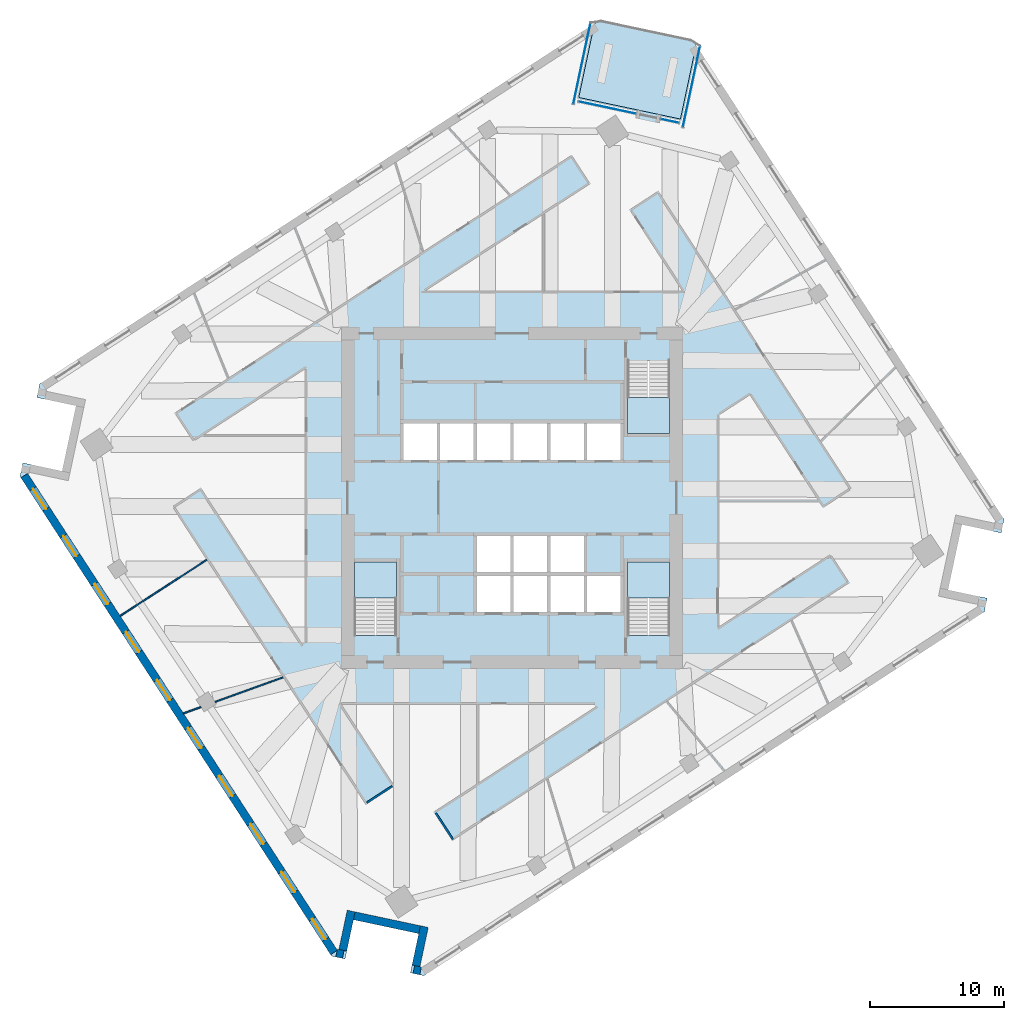
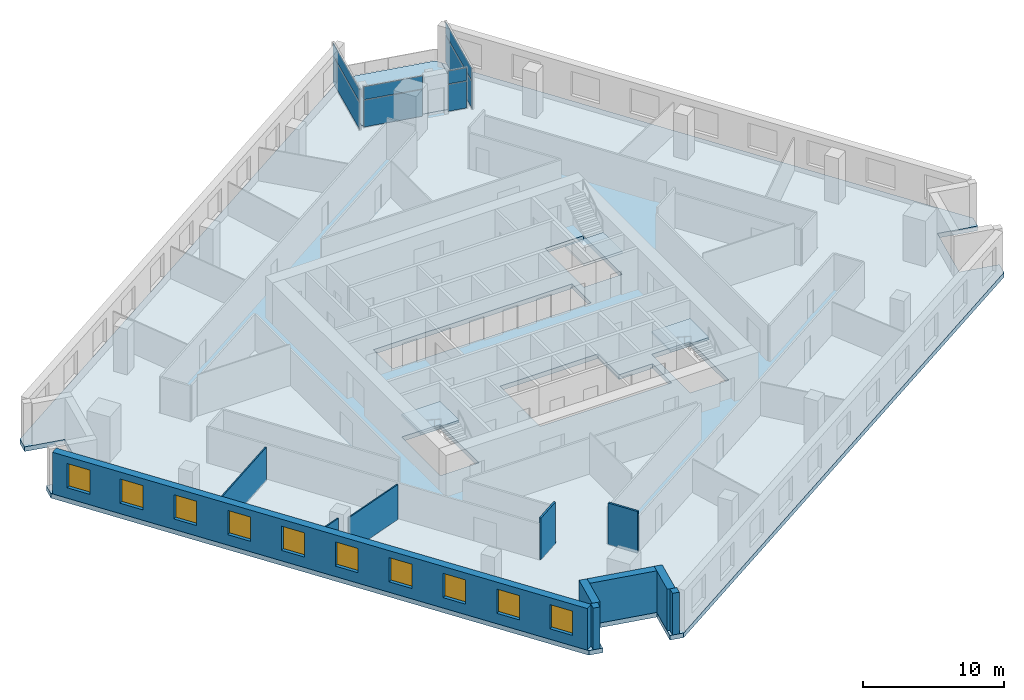
# One storey, part 5 of 12: 11 walls, 10 windows, 8 plates, 5 slabs, 10 openings, 7 elements without a shape of their own.
"""IFC4 building model written with IfcOpenShell, lengths in metres."""

from ifc_helpers import new_model, si_unit, direction, frame, frame_2d, origin, origin_2d, place, context, subcontext, project, spatial, polyline, rectangle, outline, extrude, material, layer, layer_set, type_object, element, fill, aggregate, save


model = new_model("IFC4")

# Units and contexts
model_context = context("Model", 3, precision=1e-05, world=origin(), true_north=direction((0.0, 1.0)))
body_context = subcontext(model_context, "Body", "Model", "MODEL_VIEW")
ifc_project = project(units=[si_unit("LENGTHUNIT", "METRE"), si_unit("AREAUNIT", "SQUARE_METRE"), si_unit("VOLUMEUNIT", "CUBIC_METRE"), si_unit("PLANEANGLEUNIT", "RADIAN"), si_unit("MASSUNIT", "GRAM", prefix="KILO")], contexts=[model_context])

# Site, building, storey
site_placement = place(None, origin())
site = spatial("IfcSite", under=ifc_project, at=site_placement, CompositionType="ELEMENT")
building_placement = place(site_placement, origin())
building = spatial("IfcBuilding", under=site, at=building_placement, Name="Dilmun Exchange Tower", CompositionType="ELEMENT")
storey_placement = place(building_placement, frame((0.0, 0.0, 159.699951171875)))
storey = spatial("IfcBuildingStorey", under=building, at=storey_placement, Name="L37", CompositionType="ELEMENT", Elevation=159.699951171875)

# Stair, slab
ifc_material_1 = material(Name="Concrete C40/50", Category="concrete")
stair_type = type_object("IfcStairType", Name="Exit stair 1500 half-turn", PredefinedType="HALF_TURN_STAIR", material=ifc_material_1)
stair_1_placement = place(storey_placement, origin())
stair_1 = element("IfcStair", 1, at=stair_1_placement, inside=storey, type_object=stair_type, Name="L37 Protected exit stair ST1", PredefinedType="HALF_TURN_STAIR")
ifc_layer_1 = layer(ifc_material_1, 0.199951171875)
ifc_layer_set_1 = layer_set([ifc_layer_1], Name="Concrete C40/50")
slab_type_1 = type_object("IfcSlabType", Name="Exit stair landing 200", PredefinedType="LANDING", material=ifc_layer_set_1)
slab_1_placement = place(storey_placement, frame((0.0, 0.0, 1.800048828125)))
slab_1 = element("IfcSlab", 2, at=slab_1_placement, type_object=slab_type_1, Name="ST1 landing 1", PredefinedType="LANDING", context=body_context, shape_type="SweptSolid", body=[
    extrude(outline(polyline([(8.64990234375, 7.5), (8.64990234375, 4.800048828125), (11.800048828125, 4.800048828125), (11.800048828125, 7.5), (8.64990234375, 7.5)])), origin(), (0.0, 0.0, 1.0), 0.199951171875),
])
aggregate(stair_1, [slab_1])

stair_2_placement = place(storey_placement, origin())
stair_2 = element("IfcStair", 3, at=stair_2_placement, inside=storey, type_object=stair_type, Name="L37 Protected exit stair ST2", PredefinedType="HALF_TURN_STAIR")
slab_2_placement = place(storey_placement, frame((0.0, 0.0, 1.800048828125)))
slab_2 = element("IfcSlab", 4, at=slab_2_placement, type_object=slab_type_1, Name="ST2 landing 1", PredefinedType="LANDING", context=body_context, shape_type="SweptSolid", body=[
    extrude(outline(polyline([(-8.64990234375, -7.5), (-8.64990234375, -4.800048828125), (-11.800048828125, -4.800048828125), (-11.800048828125, -7.5), (-8.64990234375, -7.5)])), origin(), (0.0, 0.0, 1.0), 0.199951171875),
])
aggregate(stair_2, [slab_2])

stair_3_placement = place(storey_placement, origin())
stair_3 = element("IfcStair", 5, at=stair_3_placement, inside=storey, type_object=stair_type, Name="L37 Protected exit stair ST3", PredefinedType="HALF_TURN_STAIR")
slab_3_placement = place(storey_placement, frame((0.0, 0.0, 1.800048828125)))
slab_3 = element("IfcSlab", 6, at=slab_3_placement, type_object=slab_type_1, Name="ST3 landing 1", PredefinedType="LANDING", context=body_context, shape_type="SweptSolid", body=[
    extrude(outline(polyline([(11.800048828125, -7.5), (11.800048828125, -4.800048828125), (8.64990234375, -4.800048828125), (8.64990234375, -7.5), (11.800048828125, -7.5)])), origin(), (0.0, 0.0, 1.0), 0.199951171875),
])
aggregate(stair_3, [slab_3])

# Curtain wall, plates
ifc_material_2 = material(Name="Anodised aluminium and clear glass", Category="aluminium")
curtain_wall_type = type_object("IfcCurtainWallType", Name="Garden corner glazing", PredefinedType="NOTDEFINED", material=ifc_material_2)
curtain_wall_1_placement = place(storey_placement, origin())
curtain_wall_1 = element("IfcCurtainWall", 7, at=curtain_wall_1_placement, inside=storey, type_object=curtain_wall_type, Name="Garden corner glazing run GC1.1", PredefinedType="NOTDEFINED")
ifc_material_3 = material(Name="Clear glass", Category="glass")
ifc_layer_2 = layer(ifc_material_3, 0.028076171875)
ifc_layer_set_2 = layer_set([ifc_layer_2], Name="Clear glass")
plate_type = type_object("IfcPlateType", Name="Garden corner glazing glass panel 28", PredefinedType="CURTAIN_PANEL", material=ifc_layer_set_2)
plate_1_placement = place(storey_placement, frame((13.421142578125, 30.75, 0.06005859375), z_axis=(0.0, 0.0, 1.0), x_axis=(-0.207911792498, -0.978147579121, 0.0)))
plate_1 = element("IfcPlate", 8, at=plate_1_placement, type_object=plate_type, Name="GC1.1 panel 1.1", PredefinedType="CURTAIN_PANEL", context=body_context, shape_type="SweptSolid", body=[
    extrude(rectangle(XDim=6.12646484375, YDim=0.028076171875, at=origin_2d()), origin(), (0.0, 0.0, 1.0), 2.31005859375),
])
plate_2_placement = place(storey_placement, frame((13.421142578125, 30.75, 2.43017578125), z_axis=(0.0, 0.0, 1.0), x_axis=(-0.207911792498, -0.978147579121, 0.0)))
plate_2 = element("IfcPlate", 9, at=plate_2_placement, type_object=plate_type, Name="GC1.1 panel 1.2", PredefinedType="CURTAIN_PANEL", context=body_context, shape_type="SweptSolid", body=[
    extrude(rectangle(XDim=6.12646484375, YDim=0.028076171875, at=origin_2d()), origin(), (0.0, 0.0, 1.0), 1.110107421875),
])
aggregate(curtain_wall_1, [plate_1, plate_2])

curtain_wall_2_placement = place(storey_placement, origin())
curtain_wall_2 = element("IfcCurtainWall", 10, at=curtain_wall_2_placement, inside=storey, type_object=curtain_wall_type, Name="Garden corner glazing run GC2.1", PredefinedType="NOTDEFINED")
plate_3_placement = place(storey_placement, frame((11.8125, 28.205810546875, 0.06005859375), z_axis=(0.0, 0.0, 1.0), x_axis=(-0.978146048112, 0.207918995193, 0.0)))
plate_3 = element("IfcPlate", 11, at=plate_3_placement, type_object=plate_type, Name="GC2.1 panel 1.1", PredefinedType="CURTAIN_PANEL", context=body_context, shape_type="SweptSolid", body=[
    extrude(rectangle(XDim=1.369140625, YDim=0.028076171875, at=origin_2d()), origin(), (0.0, 0.0, 1.0), 2.31005859375),
])
plate_4_placement = place(storey_placement, frame((11.8125, 28.205810546875, 2.43017578125), z_axis=(0.0, 0.0, 1.0), x_axis=(-0.978146048112, 0.207918995193, 0.0)))
plate_4 = element("IfcPlate", 12, at=plate_4_placement, type_object=plate_type, Name="GC2.1 panel 1.2", PredefinedType="CURTAIN_PANEL", context=body_context, shape_type="SweptSolid", body=[
    extrude(rectangle(XDim=1.369140625, YDim=0.028076171875, at=origin_2d()), origin(), (0.0, 0.0, 1.0), 1.110107421875),
])
aggregate(curtain_wall_2, [plate_3, plate_4])

curtain_wall_3_placement = place(storey_placement, origin())
curtain_wall_3 = element("IfcCurtainWall", 13, at=curtain_wall_3_placement, inside=storey, type_object=curtain_wall_type, Name="Garden corner glazing run GC2.3", PredefinedType="NOTDEFINED")
plate_5_placement = place(storey_placement, frame((7.128173828125, 29.201416015625, 0.06005859375), z_axis=(0.0, 0.0, 1.0), x_axis=(-0.978144695034, 0.207925360589, 0.0)))
plate_5 = element("IfcPlate", 14, at=plate_5_placement, type_object=plate_type, Name="GC2.3 panel 1.1", PredefinedType="CURTAIN_PANEL", context=body_context, shape_type="SweptSolid", body=[
    extrude(rectangle(XDim=4.369140625, YDim=0.028076171875, at=origin_2d()), origin(), (0.0, 0.0, 1.0), 2.31005859375),
])
plate_6_placement = place(storey_placement, frame((7.128173828125, 29.201416015625, 2.43017578125), z_axis=(0.0, 0.0, 1.0), x_axis=(-0.978144695034, 0.207925360589, 0.0)))
plate_6 = element("IfcPlate", 15, at=plate_6_placement, type_object=plate_type, Name="GC2.3 panel 1.2", PredefinedType="CURTAIN_PANEL", context=body_context, shape_type="SweptSolid", body=[
    extrude(rectangle(XDim=4.369140625, YDim=0.028076171875, at=origin_2d()), origin(), (0.0, 0.0, 1.0), 1.110107421875),
])
aggregate(curtain_wall_3, [plate_5, plate_6])

curtain_wall_4_placement = place(storey_placement, origin())
curtain_wall_4 = element("IfcCurtainWall", 16, at=curtain_wall_4_placement, inside=storey, type_object=curtain_wall_type, Name="Garden corner glazing run GC3.1", PredefinedType="NOTDEFINED")
plate_7_placement = place(storey_placement, frame((5.22607421875, 32.491943359375, 0.06005859375), z_axis=(0.0, 0.0, 1.0), x_axis=(0.207911792498, 0.978147579121, 0.0)))
plate_7 = element("IfcPlate", 17, at=plate_7_placement, type_object=plate_type, Name="GC3.1 panel 1.1", PredefinedType="CURTAIN_PANEL", context=body_context, shape_type="SweptSolid", body=[
    extrude(rectangle(XDim=6.12646484375, YDim=0.028076171875, at=origin_2d()), origin(), (0.0, 0.0, 1.0), 2.31005859375),
])
plate_8_placement = place(storey_placement, frame((5.22607421875, 32.491943359375, 2.43017578125), z_axis=(0.0, 0.0, 1.0), x_axis=(0.207911792498, 0.978147579121, 0.0)))
plate_8 = element("IfcPlate", 18, at=plate_8_placement, type_object=plate_type, Name="GC3.1 panel 1.2", PredefinedType="CURTAIN_PANEL", context=body_context, shape_type="SweptSolid", body=[
    extrude(rectangle(XDim=6.12646484375, YDim=0.028076171875, at=origin_2d()), origin(), (0.0, 0.0, 1.0), 1.110107421875),
])
aggregate(curtain_wall_4, [plate_7, plate_8])

# Slabs
ifc_layer_3 = layer(ifc_material_1, 0.39990234375)
ifc_layer_set_3 = layer_set([ifc_layer_3], Name="Concrete C40/50")
slab_type_2 = type_object("IfcSlabType", Name="RC floor slab 400", PredefinedType="FLOOR", material=ifc_layer_set_3)
slab_4_placement = place(storey_placement, frame((0.0, 0.0, -0.39990234375)))
element("IfcSlab", 19, at=slab_4_placement, inside=storey, type_object=slab_type_2, Name="Floor slab", PredefinedType="FLOOR", context=body_context, shape_type="SweptSolid", body=[
    extrude(outline(polyline([(36.60009765625, -2.621337890625), (33.66552734375, -1.99755859375), (32.626220703125, -6.88818359375), (35.560546875, -7.511962890625), (35.34521484375, -8.52490234375), (-6.58837890625, -35.7568359375), (-7.601318359375, -35.54150390625), (-6.9775390625, -32.607177734375), (-11.8681640625, -31.567626953125), (-12.491943359375, -34.501953125), (-13.5048828125, -34.28662109375), (-36.8154296875, 1.6083984375), (-36.60009765625, 2.621337890625), (-33.66552734375, 1.99755859375), (-32.626220703125, 6.88818359375), (-35.560546875, 7.511962890625), (-35.34521484375, 8.52490234375), (6.1689453125, 35.484619140625), (4.9951171875, 29.96142578125), (12.603271484375, 28.34423828125), (13.777099609375, 33.867431640625), (36.8154296875, -1.6083984375), (36.60009765625, -2.621337890625)]), holes=[polyline([(-8.64990234375, -4.800048828125), (-11.800048828125, -4.800048828125), (-11.800048828125, -10.294921875), (-8.64990234375, -10.294921875), (-8.64990234375, -4.800048828125)]), polyline([(11.800048828125, -4.800048828125), (8.64990234375, -4.800048828125), (8.64990234375, -10.294921875), (11.800048828125, -10.294921875), (11.800048828125, -4.800048828125)]), polyline([(5.375, -2.85009765625), (-2.625, -2.85009765625), (-2.625, -8.550048828125), (8.125, -8.550048828125), (8.125, -5.85009765625), (5.375, -5.85009765625), (5.375, -2.85009765625)]), polyline([(8.125, 2.85009765625), (8.125, 5.550048828125), (-8.125, 5.550048828125), (-8.125, 2.85009765625), (8.125, 2.85009765625)]), polyline([(8.64990234375, 10.294921875), (8.64990234375, 4.800048828125), (11.800048828125, 4.800048828125), (11.800048828125, 10.294921875), (8.64990234375, 10.294921875)])]), origin(), (0.0, 0.0, 1.0), 0.39990234375),
])
ifc_layer_4 = layer(ifc_material_1, 0.300048828125)
ifc_layer_set_4 = layer_set([ifc_layer_4], Name="Concrete C40/50")
slab_type_3 = type_object("IfcSlabType", Name="RC garden terrace slab 300", PredefinedType="FLOOR", material=ifc_layer_set_4)
slab_5_placement = place(storey_placement, frame((0.0, 0.0, -0.300048828125)))
element("IfcSlab", 20, at=slab_5_placement, inside=storey, type_object=slab_type_3, Name="Garden terrace slab", PredefinedType="FLOOR", context=body_context, shape_type="SweptSolid", body=[
    extrude(outline(polyline([(4.9951171875, 29.96142578125), (6.1689453125, 35.484619140625), (6.58837890625, 35.7568359375), (13.5048828125, 34.28662109375), (13.777099609375, 33.867431640625), (12.603271484375, 28.34423828125), (4.9951171875, 29.96142578125)])), origin(), (0.0, 0.0, 1.0), 0.300048828125),
])

# Walls
ifc_material_4 = material(Name="Corridor wall 150")
ifc_layer_5 = layer(ifc_material_4, 0.14990234375)
ifc_layer_set_5 = layer_set([ifc_layer_5], Name="Corridor wall 150")
wall_type_1 = type_object("IfcWallType", Name="Corridor wall 150", PredefinedType="PARTITIONING", material=ifc_layer_set_5)
wall_1_placement = place(storey_placement, frame((-10.85400390625, -22.80517578125, 0.0), z_axis=(0.0, 0.0, 1.0), x_axis=(0.838555201952, 0.544816641889, 0.0)))
element("IfcWall", 21, at=wall_1_placement, inside=storey, type_object=wall_type_1, Name="Corridor wall", PredefinedType="PARTITIONING", context=body_context, shape_type="SweptSolid", body=[
    extrude(rectangle(XDim=2.2490234375, YDim=0.14990234375, at=frame_2d((1.12451171875, 0.0))), origin(), (0.0, 0.0, 1.0), 3.60009765625),
])
wall_2_placement = place(storey_placement, frame((-5.705078125, -23.5869140625, 0.0), z_axis=(0.0, 0.0, 1.0), x_axis=(0.544530623896, -0.838740960988, 0.0)))
element("IfcWall", 22, at=wall_2_placement, inside=storey, type_object=wall_type_1, Name="Corridor wall", PredefinedType="PARTITIONING", context=body_context, shape_type="SweptSolid", body=[
    extrude(rectangle(XDim=2.3251953125, YDim=0.14990234375, at=frame_2d((1.16259765625, 0.0))), origin(), (0.0, 0.0, 1.0), 3.60009765625),
])
ifc_material_5 = material(Name="Partition 100")
ifc_layer_6 = layer(ifc_material_5, 0.10009765625)
ifc_layer_set_6 = layer_set([ifc_layer_6], Name="Partition 100")
wall_type_2 = type_object("IfcWallType", Name="Partition 100", PredefinedType="PARTITIONING", material=ifc_layer_set_6)
wall_3_placement = place(storey_placement, frame((-29.31689453125, -8.832763671875, 0.0), z_axis=(0.0, 0.0, 1.0), x_axis=(0.839172220575, 0.543865777757, 0.0)))
element("IfcWall", 23, at=wall_3_placement, inside=storey, type_object=wall_type_2, Name="Partition", PredefinedType="PARTITIONING", context=body_context, shape_type="SweptSolid", body=[
    extrude(rectangle(XDim=7.72412109375, YDim=0.10009765625, at=frame_2d((3.862060546875, 0.0))), origin(), (0.0, 0.0, 1.0), 2.900146484375),
])
wall_4_placement = place(storey_placement, frame((-24.580078125, -16.126953125, 0.0), z_axis=(0.0, 0.0, 1.0), x_axis=(0.94044924629, 0.339934133551, 0.0)))
element("IfcWall", 24, at=wall_4_placement, inside=storey, type_object=wall_type_2, Name="Partition", PredefinedType="PARTITIONING", context=body_context, shape_type="SweptSolid", body=[
    extrude(rectangle(XDim=1.387451171875, YDim=0.10009765625, at=frame_2d((0.69384765625, 0.0))), origin(), (0.0, 0.0, 1.0), 3.60009765625),
])
wall_5_placement = place(storey_placement, frame((-22.2099609375, -15.27001953125, 0.0), z_axis=(0.0, 0.0, 1.0), x_axis=(0.940414992248, 0.34002888459, 0.0)))
element("IfcWall", 25, at=wall_5_placement, inside=storey, type_object=wall_type_2, Name="Partition", PredefinedType="PARTITIONING", context=body_context, shape_type="SweptSolid", body=[
    extrude(rectangle(XDim=5.3994140625, YDim=0.10009765625, at=frame_2d((2.69970703125, 0.0))), origin(), (0.0, 0.0, 1.0), 3.030029296875),
])

# Wall, openings, windows
ifc_material_6 = material(Name="Precast concrete C50/60", Category="concrete")
ifc_layer_7 = layer(ifc_material_6, 0.60009765625)
ifc_layer_set_7 = layer_set([ifc_layer_7], Name="Precast concrete C50/60")
wall_type_3 = type_object("IfcWallType", Name="Precast stone-clad wall 600", PredefinedType="STANDARD", material=ifc_layer_set_7)
wall_6_placement = place(storey_placement, frame((-36.49609375, 1.66748046875, 0.0), z_axis=(0.0, 0.0, 1.0), x_axis=(0.544642236407, -0.838668488929, 0.0)))
wall_6 = element("IfcWall", 26, at=wall_6_placement, inside=storey, type_object=wall_type_3, Name="Facade wall L37-09", PredefinedType="STANDARD", context=body_context, shape_type="SweptSolid", body=[
    extrude(rectangle(XDim=42.551513671875, YDim=0.60009765625, at=frame_2d((21.27587890625, 0.0))), origin(), (0.0, 0.0, 1.0), 3.60009765625),
])
opening_1_placement = place(wall_6_placement, frame((1.177978515625, 0.0, 0.89990234375)))
opening_1 = element("IfcOpeningElement", 27, at=opening_1_placement, cuts=wall_6, Name="Opening W180-210", PredefinedType="OPENING", context=body_context, shape_type="SweptSolid", body=[
    extrude(rectangle(XDim=1.800048828125, YDim=2.10009765625, at=frame_2d((0.89990234375, 1.050048828125))), frame((0.0, 0.31005859375, 0.0), z_axis=(0.0, -1.0, 0.0), x_axis=(1.0, 0.0, 0.0)), (0.0, 0.0, 1.0), 0.6201171875),
])
opening_2_placement = place(wall_6_placement, frame((5.395751953125, 0.0, 0.89990234375)))
opening_2 = element("IfcOpeningElement", 28, at=opening_2_placement, cuts=wall_6, Name="Opening W180-210", PredefinedType="OPENING", context=body_context, shape_type="SweptSolid", body=[
    extrude(rectangle(XDim=1.800048828125, YDim=2.10009765625, at=frame_2d((0.89990234375, 1.050048828125))), frame((0.0, 0.31005859375, 0.0), z_axis=(0.0, -1.0, 0.0), x_axis=(1.0, 0.0, 0.0)), (0.0, 0.0, 1.0), 0.6201171875),
])
opening_3_placement = place(wall_6_placement, frame((9.67578125, 0.0, 0.89990234375)))
opening_3 = element("IfcOpeningElement", 29, at=opening_3_placement, cuts=wall_6, Name="Opening W180-210", PredefinedType="OPENING", context=body_context, shape_type="SweptSolid", body=[
    extrude(rectangle(XDim=1.800048828125, YDim=2.10009765625, at=frame_2d((0.89990234375, 1.050048828125))), frame((0.0, 0.31005859375, 0.0), z_axis=(0.0, -1.0, 0.0), x_axis=(1.0, 0.0, 0.0)), (0.0, 0.0, 1.0), 0.6201171875),
])
opening_4_placement = place(wall_6_placement, frame((13.955810546875, 0.0, 0.89990234375)))
opening_4 = element("IfcOpeningElement", 30, at=opening_4_placement, cuts=wall_6, Name="Opening W180-210", PredefinedType="OPENING", context=body_context, shape_type="SweptSolid", body=[
    extrude(rectangle(XDim=1.800048828125, YDim=2.10009765625, at=frame_2d((0.89990234375, 1.050048828125))), frame((0.0, 0.31005859375, 0.0), z_axis=(0.0, -1.0, 0.0), x_axis=(1.0, 0.0, 0.0)), (0.0, 0.0, 1.0), 0.6201171875),
])
opening_5_placement = place(wall_6_placement, frame((18.235595703125, 0.0, 0.89990234375)))
opening_5 = element("IfcOpeningElement", 31, at=opening_5_placement, cuts=wall_6, Name="Opening W180-210", PredefinedType="OPENING", context=body_context, shape_type="SweptSolid", body=[
    extrude(rectangle(XDim=1.800048828125, YDim=2.10009765625, at=frame_2d((0.89990234375, 1.050048828125))), frame((0.0, 0.31005859375, 0.0), z_axis=(0.0, -1.0, 0.0), x_axis=(1.0, 0.0, 0.0)), (0.0, 0.0, 1.0), 0.6201171875),
])
opening_6_placement = place(wall_6_placement, frame((22.515625, 0.0, 0.89990234375)))
opening_6 = element("IfcOpeningElement", 32, at=opening_6_placement, cuts=wall_6, Name="Opening W180-210", PredefinedType="OPENING", context=body_context, shape_type="SweptSolid", body=[
    extrude(rectangle(XDim=1.800048828125, YDim=2.10009765625, at=frame_2d((0.89990234375, 1.050048828125))), frame((0.0, 0.31005859375, 0.0), z_axis=(0.0, -1.0, 0.0), x_axis=(1.0, 0.0, 0.0)), (0.0, 0.0, 1.0), 0.6201171875),
])
opening_7_placement = place(wall_6_placement, frame((26.795654296875, 0.0, 0.89990234375)))
opening_7 = element("IfcOpeningElement", 33, at=opening_7_placement, cuts=wall_6, Name="Opening W180-210", PredefinedType="OPENING", context=body_context, shape_type="SweptSolid", body=[
    extrude(rectangle(XDim=1.800048828125, YDim=2.10009765625, at=frame_2d((0.89990234375, 1.050048828125))), frame((0.0, 0.31005859375, 0.0), z_axis=(0.0, -1.0, 0.0), x_axis=(1.0, 0.0, 0.0)), (0.0, 0.0, 1.0), 0.6201171875),
])
opening_8_placement = place(wall_6_placement, frame((31.07568359375, 0.0, 0.89990234375)))
opening_8 = element("IfcOpeningElement", 34, at=opening_8_placement, cuts=wall_6, Name="Opening W180-210", PredefinedType="OPENING", context=body_context, shape_type="SweptSolid", body=[
    extrude(rectangle(XDim=1.800048828125, YDim=2.10009765625, at=frame_2d((0.89990234375, 1.050048828125))), frame((0.0, 0.31005859375, 0.0), z_axis=(0.0, -1.0, 0.0), x_axis=(1.0, 0.0, 0.0)), (0.0, 0.0, 1.0), 0.6201171875),
])
opening_9_placement = place(wall_6_placement, frame((35.355712890625, 0.0, 0.89990234375)))
opening_9 = element("IfcOpeningElement", 35, at=opening_9_placement, cuts=wall_6, Name="Opening W180-210", PredefinedType="OPENING", context=body_context, shape_type="SweptSolid", body=[
    extrude(rectangle(XDim=1.800048828125, YDim=2.10009765625, at=frame_2d((0.89990234375, 1.050048828125))), frame((0.0, 0.31005859375, 0.0), z_axis=(0.0, -1.0, 0.0), x_axis=(1.0, 0.0, 0.0)), (0.0, 0.0, 1.0), 0.6201171875),
])
opening_10_placement = place(wall_6_placement, frame((39.573486328125, 0.0, 0.89990234375)))
opening_10 = element("IfcOpeningElement", 36, at=opening_10_placement, cuts=wall_6, Name="Opening W180-210", PredefinedType="OPENING", context=body_context, shape_type="SweptSolid", body=[
    extrude(rectangle(XDim=1.800048828125, YDim=2.10009765625, at=frame_2d((0.89990234375, 1.050048828125))), frame((0.0, 0.31005859375, 0.0), z_axis=(0.0, -1.0, 0.0), x_axis=(1.0, 0.0, 0.0)), (0.0, 0.0, 1.0), 0.6201171875),
])
ifc_material_7 = material(Name="Clear low-emissivity glass in aluminium frame", Category="aluminium")
window_type = type_object("IfcWindowType", Name="Punched window 1800 x 2100", PartitioningType="DOUBLE_PANEL_VERTICAL", PredefinedType="WINDOW", material=ifc_material_7)
window_1_placement = place(opening_1_placement, origin())
window_1 = element("IfcWindow", 37, at=window_1_placement, inside=storey, type_object=window_type, Name="Window 10.1", OverallHeight=2.10009765625, OverallWidth=1.800048828125, PartitioningType="SINGLE_PANEL", PredefinedType="WINDOW", context=body_context, shape_type="SweptSolid", body=[
    extrude(rectangle(XDim=1.800048828125, YDim=2.10009765625, at=frame_2d((0.89990234375, 1.050048828125))), frame((0.0, 0.030029296875, 0.0), z_axis=(0.0, -1.0, 0.0), x_axis=(1.0, 0.0, 0.0)), (0.0, 0.0, 1.0), 0.06005859375),
])
fill(opening_1, window_1)
window_2_placement = place(opening_2_placement, origin())
window_2 = element("IfcWindow", 38, at=window_2_placement, inside=storey, type_object=window_type, Name="Window 10.2", OverallHeight=2.10009765625, OverallWidth=1.800048828125, PartitioningType="SINGLE_PANEL", PredefinedType="WINDOW", context=body_context, shape_type="SweptSolid", body=[
    extrude(rectangle(XDim=1.800048828125, YDim=2.10009765625, at=frame_2d((0.89990234375, 1.050048828125))), frame((0.0, 0.030029296875, 0.0), z_axis=(0.0, -1.0, 0.0), x_axis=(1.0, 0.0, 0.0)), (0.0, 0.0, 1.0), 0.06005859375),
])
fill(opening_2, window_2)
window_3_placement = place(opening_3_placement, origin())
window_3 = element("IfcWindow", 39, at=window_3_placement, inside=storey, type_object=window_type, Name="Window 10.3", OverallHeight=2.10009765625, OverallWidth=1.800048828125, PartitioningType="SINGLE_PANEL", PredefinedType="WINDOW", context=body_context, shape_type="SweptSolid", body=[
    extrude(rectangle(XDim=1.800048828125, YDim=2.10009765625, at=frame_2d((0.89990234375, 1.050048828125))), frame((0.0, 0.030029296875, 0.0), z_axis=(0.0, -1.0, 0.0), x_axis=(1.0, 0.0, 0.0)), (0.0, 0.0, 1.0), 0.06005859375),
])
fill(opening_3, window_3)
window_4_placement = place(opening_4_placement, origin())
window_4 = element("IfcWindow", 40, at=window_4_placement, inside=storey, type_object=window_type, Name="Window 10.4", OverallHeight=2.10009765625, OverallWidth=1.800048828125, PartitioningType="SINGLE_PANEL", PredefinedType="WINDOW", context=body_context, shape_type="SweptSolid", body=[
    extrude(rectangle(XDim=1.800048828125, YDim=2.10009765625, at=frame_2d((0.89990234375, 1.050048828125))), frame((0.0, 0.030029296875, 0.0), z_axis=(0.0, -1.0, 0.0), x_axis=(1.0, 0.0, 0.0)), (0.0, 0.0, 1.0), 0.06005859375),
])
fill(opening_4, window_4)
window_5_placement = place(opening_5_placement, origin())
window_5 = element("IfcWindow", 41, at=window_5_placement, inside=storey, type_object=window_type, Name="Window 10.5", OverallHeight=2.10009765625, OverallWidth=1.800048828125, PartitioningType="SINGLE_PANEL", PredefinedType="WINDOW", context=body_context, shape_type="SweptSolid", body=[
    extrude(rectangle(XDim=1.800048828125, YDim=2.10009765625, at=frame_2d((0.89990234375, 1.050048828125))), frame((0.0, 0.030029296875, 0.0), z_axis=(0.0, -1.0, 0.0), x_axis=(1.0, 0.0, 0.0)), (0.0, 0.0, 1.0), 0.06005859375),
])
fill(opening_5, window_5)
window_6_placement = place(opening_6_placement, origin())
window_6 = element("IfcWindow", 42, at=window_6_placement, inside=storey, type_object=window_type, Name="Window 10.6", OverallHeight=2.10009765625, OverallWidth=1.800048828125, PartitioningType="SINGLE_PANEL", PredefinedType="WINDOW", context=body_context, shape_type="SweptSolid", body=[
    extrude(rectangle(XDim=1.800048828125, YDim=2.10009765625, at=frame_2d((0.89990234375, 1.050048828125))), frame((0.0, 0.030029296875, 0.0), z_axis=(0.0, -1.0, 0.0), x_axis=(1.0, 0.0, 0.0)), (0.0, 0.0, 1.0), 0.06005859375),
])
fill(opening_6, window_6)
window_7_placement = place(opening_7_placement, origin())
window_7 = element("IfcWindow", 43, at=window_7_placement, inside=storey, type_object=window_type, Name="Window 10.7", OverallHeight=2.10009765625, OverallWidth=1.800048828125, PartitioningType="SINGLE_PANEL", PredefinedType="WINDOW", context=body_context, shape_type="SweptSolid", body=[
    extrude(rectangle(XDim=1.800048828125, YDim=2.10009765625, at=frame_2d((0.89990234375, 1.050048828125))), frame((0.0, 0.030029296875, 0.0), z_axis=(0.0, -1.0, 0.0), x_axis=(1.0, 0.0, 0.0)), (0.0, 0.0, 1.0), 0.06005859375),
])
fill(opening_7, window_7)
window_8_placement = place(opening_8_placement, origin())
window_8 = element("IfcWindow", 44, at=window_8_placement, inside=storey, type_object=window_type, Name="Window 10.8", OverallHeight=2.10009765625, OverallWidth=1.800048828125, PartitioningType="SINGLE_PANEL", PredefinedType="WINDOW", context=body_context, shape_type="SweptSolid", body=[
    extrude(rectangle(XDim=1.800048828125, YDim=2.10009765625, at=frame_2d((0.89990234375, 1.050048828125))), frame((0.0, 0.030029296875, 0.0), z_axis=(0.0, -1.0, 0.0), x_axis=(1.0, 0.0, 0.0)), (0.0, 0.0, 1.0), 0.06005859375),
])
fill(opening_8, window_8)
window_9_placement = place(opening_9_placement, origin())
window_9 = element("IfcWindow", 45, at=window_9_placement, inside=storey, type_object=window_type, Name="Window 10.9", OverallHeight=2.10009765625, OverallWidth=1.800048828125, PartitioningType="SINGLE_PANEL", PredefinedType="WINDOW", context=body_context, shape_type="SweptSolid", body=[
    extrude(rectangle(XDim=1.800048828125, YDim=2.10009765625, at=frame_2d((0.89990234375, 1.050048828125))), frame((0.0, 0.030029296875, 0.0), z_axis=(0.0, -1.0, 0.0), x_axis=(1.0, 0.0, 0.0)), (0.0, 0.0, 1.0), 0.06005859375),
])
fill(opening_9, window_9)
window_10_placement = place(opening_10_placement, origin())
window_10 = element("IfcWindow", 46, at=window_10_placement, inside=storey, type_object=window_type, Name="Window 10.10", OverallHeight=2.10009765625, OverallWidth=1.800048828125, PartitioningType="SINGLE_PANEL", PredefinedType="WINDOW", context=body_context, shape_type="SweptSolid", body=[
    extrude(rectangle(XDim=1.800048828125, YDim=2.10009765625, at=frame_2d((0.89990234375, 1.050048828125))), frame((0.0, 0.030029296875, 0.0), z_axis=(0.0, -1.0, 0.0), x_axis=(1.0, 0.0, 0.0)), (0.0, 0.0, 1.0), 0.06005859375),
])
fill(opening_10, window_10)

# Walls
wall_7_placement = place(storey_placement, frame((-13.125244140625, -34.060791015625, 0.0), z_axis=(0.0, 0.0, 1.0), x_axis=(0.978178268729, -0.207767356883, 0.0)))
element("IfcWall", 47, at=wall_7_placement, inside=storey, type_object=wall_type_3, Name="Facade wall L37-10", PredefinedType="STANDARD", context=body_context, shape_type="SweptSolid", body=[
    extrude(rectangle(XDim=0.51123046875, YDim=0.60009765625, at=frame_2d((0.255615234375, 0.0))), origin(), (0.0, 0.0, 1.0), 3.60009765625),
])
wall_8_placement = place(storey_placement, frame((-12.66064453125, -33.852783203125, 0.0), z_axis=(0.0, 0.0, 1.0), x_axis=(0.207917150959, 0.978146440129, 0.0)))
element("IfcWall", 48, at=wall_8_placement, inside=storey, type_object=wall_type_3, Name="Facade wall L37-11", PredefinedType="STANDARD", context=body_context, shape_type="SweptSolid", body=[
    extrude(rectangle(XDim=3.000244140625, YDim=0.60009765625, at=frame_2d((1.5, 0.0))), origin(), (0.0, 0.0, 1.0), 3.60009765625),
])
wall_9_placement = place(storey_placement, frame((-11.805908203125, -31.274169921875, 0.0), z_axis=(0.0, 0.0, 1.0), x_axis=(0.978149046495, -0.207904888932, 0.0)))
element("IfcWall", 49, at=wall_9_placement, inside=storey, type_object=wall_type_3, Name="Facade wall L37-12", PredefinedType="STANDARD", context=body_context, shape_type="SweptSolid", body=[
    extrude(rectangle(XDim=5.000244140625, YDim=0.60009765625, at=frame_2d((2.5, 0.0))), origin(), (0.0, 0.0, 1.0), 3.60009765625),
])
wall_10_placement = place(storey_placement, frame((-6.559326171875, -32.08251953125, 0.0), z_axis=(0.0, 0.0, 1.0), x_axis=(-0.207917150959, -0.978146440129, 0.0)))
element("IfcWall", 50, at=wall_10_placement, inside=storey, type_object=wall_type_3, Name="Facade wall L37-13", PredefinedType="STANDARD", context=body_context, shape_type="SweptSolid", body=[
    extrude(rectangle(XDim=3.000244140625, YDim=0.60009765625, at=frame_2d((1.5, 0.0))), origin(), (0.0, 0.0, 1.0), 3.60009765625),
])
wall_11_placement = place(storey_placement, frame((-7.34326171875, -35.289794921875, 0.0), z_axis=(0.0, 0.0, 1.0), x_axis=(0.978198872106, -0.20767033156, 0.0)))
element("IfcWall", 51, at=wall_11_placement, inside=storey, type_object=wall_type_3, Name="Facade wall L37-14", PredefinedType="STANDARD", context=body_context, shape_type="SweptSolid", body=[
    extrude(rectangle(XDim=0.511474609375, YDim=0.60009765625, at=frame_2d((0.255859375, 0.0))), origin(), (0.0, 0.0, 1.0), 3.60009765625),
])

save(model, "model.ifc")
